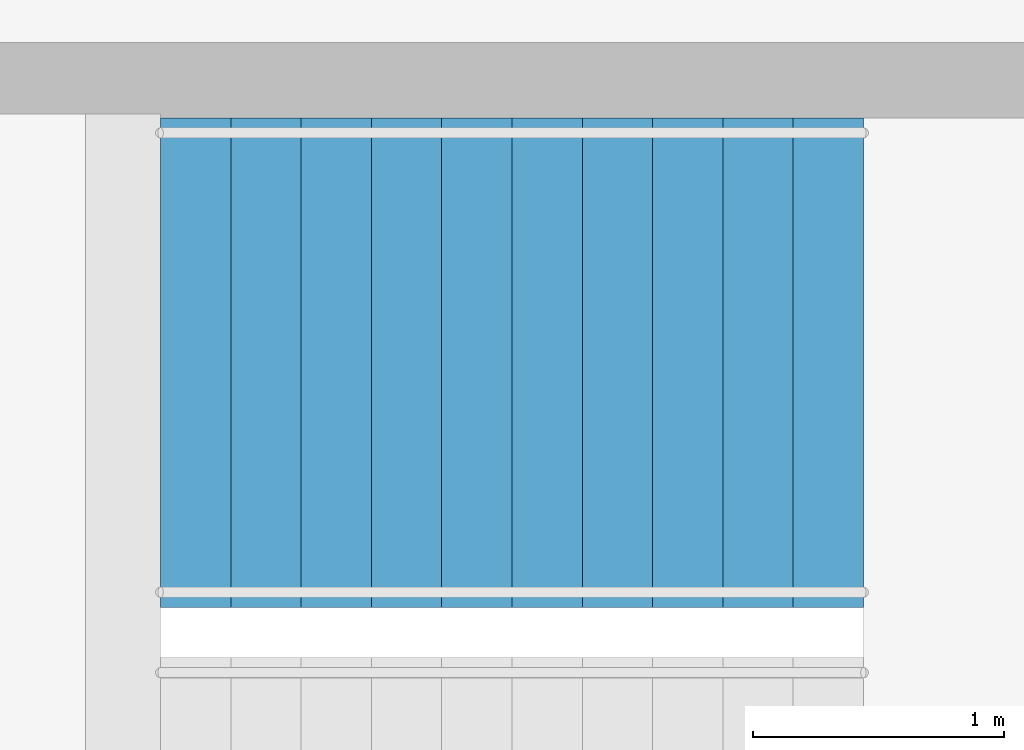
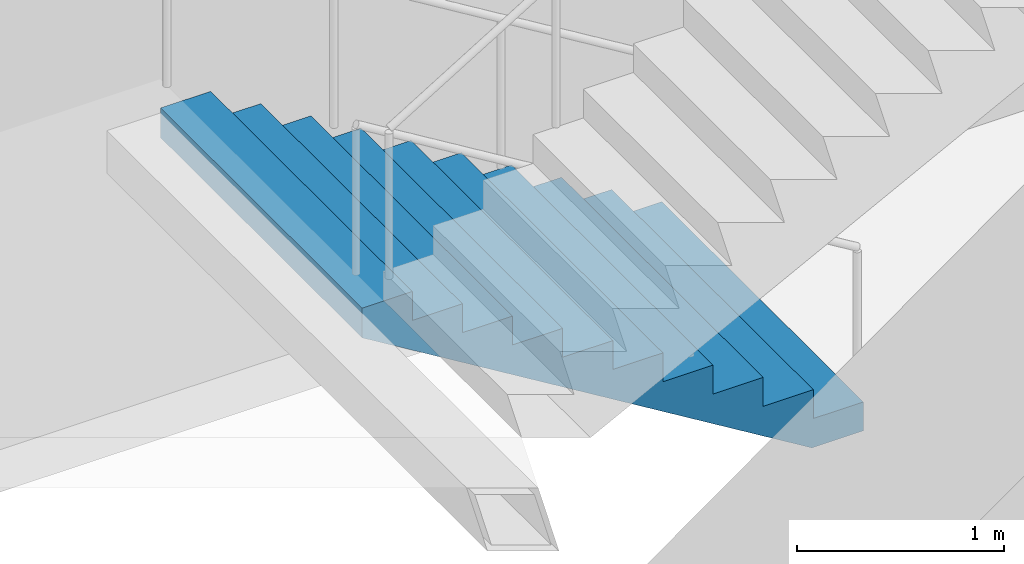
# One storey, part 23 of 24: 1 stair flight, 1 element without a shape of its own.
"""IFC4 building model written with IfcOpenShell, lengths in metres."""

from ifc_helpers import new_model, si_unit, direction, frame, origin, place, context, subcontext, project, spatial, triangles, material, type_object, element, aggregate, save


model = new_model("IFC4")

# Units and contexts
model_context = context("Model", 3, precision=1e-05, world=origin(), true_north=direction((0.0, 1.0)))
body_context = subcontext(model_context, "Body", "Model", "MODEL_VIEW")
ifc_project = project(units=[si_unit("LENGTHUNIT", "METRE"), si_unit("AREAUNIT", "SQUARE_METRE"), si_unit("VOLUMEUNIT", "CUBIC_METRE"), si_unit("PLANEANGLEUNIT", "RADIAN"), si_unit("MASSUNIT", "GRAM", prefix="KILO")], contexts=[model_context])

# Site, building, storey
site_placement = place(None, origin())
site = spatial("IfcSite", under=ifc_project, at=site_placement, CompositionType="ELEMENT")
building_placement = place(site_placement, origin())
building = spatial("IfcBuilding", under=site, at=building_placement, Name="Orbita Commons", CompositionType="ELEMENT")
storey_placement = place(building_placement, frame((0.0, 0.0, 239.050048828125)))
storey = spatial("IfcBuildingStorey", under=building, at=storey_placement, Name="L59", CompositionType="ELEMENT", Elevation=239.050048828125)

# Stair, stair flight
ifc_material_1 = material(Name="Precast concrete C40/50", Category="concrete")
stair_type = type_object("IfcStairType", Name="Exit stair S2 2 flights 11 risers 170", PredefinedType="HALF_TURN_STAIR", material=ifc_material_1)
stair_placement = place(storey_placement, origin())
stair = element("IfcStair", 1, at=stair_placement, inside=storey, type_object=stair_type, Name="Exit stair S2 L59", PredefinedType="HALF_TURN_STAIR")
ifc_material_2 = material(Name="Precast concrete C40/50", Category="concrete")
stair_flight_type = type_object("IfcStairFlightType", Name="Stair flight 11 risers 170 x 280", PredefinedType="STRAIGHT", material=ifc_material_2)
stair_flight_placement = place(storey_placement, frame((63.550048828125, 29.27490234375, 0.0), z_axis=(0.0, 0.0, 1.0), x_axis=(-1.0, 0.0, 0.0)))
stair_flight = element("IfcStairFlight", 2, at=stair_flight_placement, type_object=stair_flight_type, Name="S2 flight 1", NumberOfRisers=11, NumberOfTreads=10, PredefinedType="STRAIGHT", RiserHeight=0.170454545, TreadLength=0.28, context=body_context, shape_type="Tessellation", body=[
    triangles([(0.0, 0.974976, 0.0), (0.0, 0.974976, 0.021307), (0.0, 0.81248, 0.021307), (0.0, 0.81248, 0.0), (0.0, 0.649984, 0.021307), (0.0, 0.649984, 0.0), (0.0, 0.487488, 0.021307), (0.0, 0.487488, 0.0), (0.0, 0.324992, 0.021307), (0.0, 0.324992, 0.0), (0.0, 0.162496, 0.021307), (0.0, 0.162496, 0.0), (0.0, 0.0, 0.021307), (0.0, 0.0, 0.0), (0.0, -0.162496, 0.021307), (0.0, -0.162496, 0.0), (0.0, -0.324992, 0.021307), (0.0, -0.324992, 0.0), (0.0, -0.487488, 0.021307), (0.0, -0.487488, 0.0), (0.0, -0.649984, 0.021307), (0.0, -0.649984, 0.0), (0.0, -0.81248, 0.021307), (0.0, -0.81248, 0.0), (0.0, -0.974976, 0.021307), (0.0, -0.974976, 0.0), (0.0, 0.974976, 0.042614), (0.0, 0.81248, 0.042614), (0.0, 0.649984, 0.042614), (0.0, 0.487488, 0.042614), (0.0, 0.324992, 0.042614), (0.0, 0.162496, 0.042614), (0.0, 0.0, 0.042614), (0.0, -0.162496, 0.042614), (0.0, -0.324992, 0.042614), (0.0, -0.487488, 0.042614), (0.0, -0.649984, 0.042614), (0.0, -0.81248, 0.042614), (0.0, -0.974976, 0.042614), (0.0, 0.974976, 0.06392), (0.0, 0.81248, 0.06392), (0.0, 0.649984, 0.06392), (0.0, 0.487488, 0.06392), (0.0, 0.324992, 0.06392), (0.0, 0.162496, 0.06392), (0.0, 0.0, 0.06392), (0.0, -0.162496, 0.06392), (0.0, -0.324992, 0.06392), (0.0, -0.487488, 0.06392), (0.0, -0.649984, 0.06392), (0.0, -0.81248, 0.06392), (0.0, -0.974976, 0.06392), (0.0, 0.974976, 0.085227), (0.0, 0.81248, 0.085227), (0.0, 0.649984, 0.085227), (0.0, 0.487488, 0.085227), (0.0, 0.324992, 0.085227), (0.0, 0.162496, 0.085227), (0.0, 0.0, 0.085227), (0.0, -0.162496, 0.085227), (0.0, -0.324992, 0.085227), (0.0, -0.487488, 0.085227), (0.0, -0.649984, 0.085227), (0.0, -0.81248, 0.085227), (0.0, -0.974976, 0.085227), (0.0, 0.974976, 0.106534), (0.0, 0.81248, 0.106534), (0.0, 0.649984, 0.106534), (0.0, 0.487488, 0.106534), (0.0, 0.324992, 0.106534), (0.0, 0.162496, 0.106534), (0.0, 0.0, 0.106534), (0.0, -0.162496, 0.106534), (0.0, -0.324992, 0.106534), (0.0, -0.487488, 0.106534), (0.0, -0.649984, 0.106534), (0.0, -0.81248, 0.106534), (0.0, -0.974976, 0.106534), (0.0, 0.974976, 0.127841), (0.0, 0.81248, 0.127841), (0.0, 0.649984, 0.127841), (0.0, 0.487488, 0.127841), (0.0, 0.324992, 0.127841), (0.0, 0.162496, 0.127841), (0.0, 0.0, 0.127841), (0.0, -0.162496, 0.127841), (0.0, -0.324992, 0.127841), (0.0, -0.487488, 0.127841), (0.0, -0.649984, 0.127841), (0.0, -0.81248, 0.127841), (0.0, -0.974976, 0.127841), (0.0, 0.974976, 0.149148), (0.0, 0.81248, 0.149148), (0.0, 0.649984, 0.149148), (0.0, 0.487488, 0.149148), (0.0, 0.324992, 0.149148), (0.0, 0.162496, 0.149148), (0.0, 0.0, 0.149148), (0.0, -0.162496, 0.149148), (0.0, -0.324992, 0.149148), (0.0, -0.487488, 0.149148), (0.0, -0.649984, 0.149148), (0.0, -0.81248, 0.149148), (0.0, -0.974976, 0.149148), (0.0, 0.974976, 0.170455), (0.0, 0.81248, 0.170455), (0.0, 0.649984, 0.170455), (0.0, 0.487488, 0.170455), (0.0, 0.324992, 0.170455), (0.0, 0.162496, 0.170455), (0.0, 0.0, 0.170455), (0.0, -0.162496, 0.170455), (0.0, -0.324992, 0.170455), (0.0, -0.487488, 0.170455), (0.0, -0.649984, 0.170455), (0.0, -0.81248, 0.170455), (0.0, -0.974976, 0.170455), (0.28, 0.974976, 0.170455), (0.28, 0.81248, 0.170455), (0.28, 0.649984, 0.170455), (0.28, 0.487488, 0.170455), (0.28, 0.324992, 0.170455), (0.28, 0.162496, 0.170455), (0.28, 0.0, 0.170455), (0.28, -0.162496, 0.170455), (0.28, -0.324992, 0.170455), (0.28, -0.487488, 0.170455), (0.28, -0.649984, 0.170455), (0.28, -0.81248, 0.170455), (0.28, -0.974976, 0.170455), (0.28, 0.974976, 0.340909), (0.28, 0.81248, 0.340909), (0.28, 0.649984, 0.340909), (0.28, 0.487488, 0.340909), (0.28, 0.324992, 0.340909), (0.28, 0.162496, 0.340909), (0.28, 0.0, 0.340909), (0.28, -0.162496, 0.340909), (0.28, -0.324992, 0.340909), (0.28, -0.487488, 0.340909), (0.28, -0.649984, 0.340909), (0.28, -0.81248, 0.340909), (0.28, -0.974976, 0.340909), (0.56, 0.974976, 0.340909), (0.56, 0.81248, 0.340909), (0.56, 0.649984, 0.340909), (0.56, 0.487488, 0.340909), (0.56, 0.324992, 0.340909), (0.56, 0.162496, 0.340909), (0.56, 0.0, 0.340909), (0.56, -0.162496, 0.340909), (0.56, -0.324992, 0.340909), (0.56, -0.487488, 0.340909), (0.56, -0.649984, 0.340909), (0.56, -0.81248, 0.340909), (0.56, -0.974976, 0.340909), (0.56, 0.974976, 0.511364), (0.56, 0.81248, 0.511364), (0.56, 0.649984, 0.511364), (0.56, 0.487488, 0.511364), (0.56, 0.324992, 0.511364), (0.56, 0.162496, 0.511364), (0.56, 0.0, 0.511364), (0.56, -0.162496, 0.511364), (0.56, -0.324992, 0.511364), (0.56, -0.487488, 0.511364), (0.56, -0.649984, 0.511364), (0.56, -0.81248, 0.511364), (0.56, -0.974976, 0.511364), (0.84, 0.974976, 0.511364), (0.84, 0.81248, 0.511364), (0.84, 0.649984, 0.511364), (0.84, 0.487488, 0.511364), (0.84, 0.324992, 0.511364), (0.84, 0.162496, 0.511364), (0.84, 0.0, 0.511364), (0.84, -0.162496, 0.511364), (0.84, -0.324992, 0.511364), (0.84, -0.487488, 0.511364), (0.84, -0.649984, 0.511364), (0.84, -0.81248, 0.511364), (0.84, -0.974976, 0.511364), (0.84, 0.974976, 0.681818), (0.84, 0.81248, 0.681818), (0.84, 0.649984, 0.681818), (0.84, 0.487488, 0.681818), (0.84, 0.324992, 0.681818), (0.84, 0.162496, 0.681818), (0.84, 0.0, 0.681818), (0.84, -0.162496, 0.681818), (0.84, -0.324992, 0.681818), (0.84, -0.487488, 0.681818), (0.84, -0.649984, 0.681818), (0.84, -0.81248, 0.681818), (0.84, -0.974976, 0.681818), (1.12, 0.974976, 0.681818), (1.12, 0.81248, 0.681818), (1.12, 0.649984, 0.681818), (1.12, 0.487488, 0.681818), (1.12, 0.324992, 0.681818), (1.12, 0.162496, 0.681818), (1.12, 0.0, 0.681818), (1.12, -0.162496, 0.681818), (1.12, -0.324992, 0.681818), (1.12, -0.487488, 0.681818), (1.12, -0.649984, 0.681818), (1.12, -0.81248, 0.681818), (1.12, -0.974976, 0.681818), (1.12, 0.974976, 0.852273), (1.12, 0.81248, 0.852273), (1.12, 0.649984, 0.852273), (1.12, 0.487488, 0.852273), (1.12, 0.324992, 0.852273), (1.12, 0.162496, 0.852273), (1.12, 0.0, 0.852273), (1.12, -0.162496, 0.852273), (1.12, -0.324992, 0.852273), (1.12, -0.487488, 0.852273), (1.12, -0.649984, 0.852273), (1.12, -0.81248, 0.852273), (1.12, -0.974976, 0.852273), (1.4, 0.974976, 0.852273), (1.4, 0.81248, 0.852273), (1.4, 0.649984, 0.852273), (1.4, 0.487488, 0.852273), (1.4, 0.324992, 0.852273), (1.4, 0.162496, 0.852273), (1.4, 0.0, 0.852273), (1.4, -0.162496, 0.852273), (1.4, -0.324992, 0.852273), (1.4, -0.487488, 0.852273), (1.4, -0.649984, 0.852273), (1.4, -0.81248, 0.852273), (1.4, -0.974976, 0.852273), (1.4, 0.974976, 1.022727), (1.4, 0.81248, 1.022727), (1.4, 0.649984, 1.022727), (1.4, 0.487488, 1.022727), (1.4, 0.324992, 1.022727), (1.4, 0.162496, 1.022727), (1.4, 0.0, 1.022727), (1.4, -0.162496, 1.022727), (1.4, -0.324992, 1.022727), (1.4, -0.487488, 1.022727), (1.4, -0.649984, 1.022727), (1.4, -0.81248, 1.022727), (1.4, -0.974976, 1.022727), (1.68, 0.974976, 1.022727), (1.68, 0.81248, 1.022727), (1.68, 0.649984, 1.022727), (1.68, 0.487488, 1.022727), (1.68, 0.324992, 1.022727), (1.68, 0.162496, 1.022727), (1.68, 0.0, 1.022727), (1.68, -0.162496, 1.022727), (1.68, -0.324992, 1.022727), (1.68, -0.487488, 1.022727), (1.68, -0.649984, 1.022727), (1.68, -0.81248, 1.022727), (1.68, -0.974976, 1.022727), (1.68, 0.974976, 1.193182), (1.68, 0.81248, 1.193182), (1.68, 0.649984, 1.193182), (1.68, 0.487488, 1.193182), (1.68, 0.324992, 1.193182), (1.68, 0.162496, 1.193182), (1.68, 0.0, 1.193182), (1.68, -0.162496, 1.193182), (1.68, -0.324992, 1.193182), (1.68, -0.487488, 1.193182), (1.68, -0.649984, 1.193182), (1.68, -0.81248, 1.193182), (1.68, -0.974976, 1.193182), (1.96, 0.974976, 1.193182), (1.96, 0.81248, 1.193182), (1.96, 0.649984, 1.193182), (1.96, 0.487488, 1.193182), (1.96, 0.324992, 1.193182), (1.96, 0.162496, 1.193182), (1.96, 0.0, 1.193182), (1.96, -0.162496, 1.193182), (1.96, -0.324992, 1.193182), (1.96, -0.487488, 1.193182), (1.96, -0.649984, 1.193182), (1.96, -0.81248, 1.193182), (1.96, -0.974976, 1.193182), (1.96, 0.974976, 1.363636), (1.96, 0.81248, 1.363636), (1.96, 0.649984, 1.363636), (1.96, 0.487488, 1.363636), (1.96, 0.324992, 1.363636), (1.96, 0.162496, 1.363636), (1.96, 0.0, 1.363636), (1.96, -0.162496, 1.363636), (1.96, -0.324992, 1.363636), (1.96, -0.487488, 1.363636), (1.96, -0.649984, 1.363636), (1.96, -0.81248, 1.363636), (1.96, -0.974976, 1.363636), (2.24, 0.974976, 1.363636), (2.24, 0.81248, 1.363636), (2.24, 0.649984, 1.363636), (2.24, 0.487488, 1.363636), (2.24, 0.324992, 1.363636), (2.24, 0.162496, 1.363636), (2.24, 0.0, 1.363636), (2.24, -0.162496, 1.363636), (2.24, -0.324992, 1.363636), (2.24, -0.487488, 1.363636), (2.24, -0.649984, 1.363636), (2.24, -0.81248, 1.363636), (2.24, -0.974976, 1.363636), (2.24, 0.974976, 1.534091), (2.24, 0.81248, 1.534091), (2.24, 0.649984, 1.534091), (2.24, 0.487488, 1.534091), (2.24, 0.324992, 1.534091), (2.24, 0.162496, 1.534091), (2.24, 0.0, 1.534091), (2.24, -0.162496, 1.534091), (2.24, -0.324992, 1.534091), (2.24, -0.487488, 1.534091), (2.24, -0.649984, 1.534091), (2.24, -0.81248, 1.534091), (2.24, -0.974976, 1.534091), (2.52, 0.974976, 1.534091), (2.52, 0.81248, 1.534091), (2.52, 0.649984, 1.534091), (2.52, 0.487488, 1.534091), (2.52, 0.324992, 1.534091), (2.52, 0.162496, 1.534091), (2.52, 0.0, 1.534091), (2.52, -0.162496, 1.534091), (2.52, -0.324992, 1.534091), (2.52, -0.487488, 1.534091), (2.52, -0.649984, 1.534091), (2.52, -0.81248, 1.534091), (2.52, -0.974976, 1.534091), (2.52, 0.974976, 1.704545), (2.52, 0.81248, 1.704545), (2.52, 0.649984, 1.704545), (2.52, 0.487488, 1.704545), (2.52, 0.324992, 1.704545), (2.52, 0.162496, 1.704545), (2.52, 0.0, 1.704545), (2.52, -0.162496, 1.704545), (2.52, -0.324992, 1.704545), (2.52, -0.487488, 1.704545), (2.52, -0.649984, 1.704545), (2.52, -0.81248, 1.704545), (2.52, -0.974976, 1.704545), (2.8, 0.974976, 1.704545), (2.8, 0.81248, 1.704545), (2.8, 0.649984, 1.704545), (2.8, 0.487488, 1.704545), (2.8, 0.324992, 1.704545), (2.8, 0.162496, 1.704545), (2.8, 0.0, 1.704545), (2.8, -0.162496, 1.704545), (2.8, -0.324992, 1.704545), (2.8, -0.487488, 1.704545), (2.8, -0.649984, 1.704545), (2.8, -0.81248, 1.704545), (2.8, -0.974976, 1.704545), (2.8, 0.974976, 1.682609), (2.8, 0.81248, 1.682609), (2.8, 0.649984, 1.682609), (2.8, 0.487488, 1.682609), (2.8, 0.324992, 1.682609), (2.8, 0.162496, 1.682609), (2.8, 0.0, 1.682609), (2.8, -0.162496, 1.682609), (2.8, -0.324992, 1.682609), (2.8, -0.487488, 1.682609), (2.8, -0.649984, 1.682609), (2.8, -0.81248, 1.682609), (2.8, -0.974976, 1.682609), (2.8, 0.974976, 1.660672), (2.8, 0.81248, 1.660672), (2.8, 0.649984, 1.660672), (2.8, 0.487488, 1.660672), (2.8, 0.324992, 1.660672), (2.8, 0.162496, 1.660672), (2.8, 0.0, 1.660672), (2.8, -0.162496, 1.660672), (2.8, -0.324992, 1.660672), (2.8, -0.487488, 1.660672), (2.8, -0.649984, 1.660672), (2.8, -0.81248, 1.660672), (2.8, -0.974976, 1.660672), (2.8, 0.974976, 1.638735), (2.8, 0.81248, 1.638735), (2.8, 0.649984, 1.638735), (2.8, 0.487488, 1.638735), (2.8, 0.324992, 1.638735), (2.8, 0.162496, 1.638735), (2.8, 0.0, 1.638735), (2.8, -0.162496, 1.638735), (2.8, -0.324992, 1.638735), (2.8, -0.487488, 1.638735), (2.8, -0.649984, 1.638735), (2.8, -0.81248, 1.638735), (2.8, -0.974976, 1.638735), (2.8, 0.974976, 1.616798), (2.8, 0.81248, 1.616798), (2.8, 0.649984, 1.616798), (2.8, 0.487488, 1.616798), (2.8, 0.324992, 1.616798), (2.8, 0.162496, 1.616798), (2.8, 0.0, 1.616798), (2.8, -0.162496, 1.616798), (2.8, -0.324992, 1.616798), (2.8, -0.487488, 1.616798), (2.8, -0.649984, 1.616798), (2.8, -0.81248, 1.616798), (2.8, -0.974976, 1.616798), (2.8, 0.974976, 1.594861), (2.8, 0.81248, 1.594861), (2.8, 0.649984, 1.594861), (2.8, 0.487488, 1.594861), (2.8, 0.324992, 1.594861), (2.8, 0.162496, 1.594861), (2.8, 0.0, 1.594861), (2.8, -0.162496, 1.594861), (2.8, -0.324992, 1.594861), (2.8, -0.487488, 1.594861), (2.8, -0.649984, 1.594861), (2.8, -0.81248, 1.594861), (2.8, -0.974976, 1.594861), (2.8, 0.974976, 1.572925), (2.8, 0.81248, 1.572925), (2.8, 0.649984, 1.572925), (2.8, 0.487488, 1.572925), (2.8, 0.324992, 1.572925), (2.8, 0.162496, 1.572925), (2.8, 0.0, 1.572925), (2.8, -0.162496, 1.572925), (2.8, -0.324992, 1.572925), (2.8, -0.487488, 1.572925), (2.8, -0.649984, 1.572925), (2.8, -0.81248, 1.572925), (2.8, -0.974976, 1.572925), (2.8, 0.974976, 1.550988), (2.8, 0.81248, 1.550988), (2.8, 0.649984, 1.550988), (2.8, 0.487488, 1.550988), (2.8, 0.324992, 1.550988), (2.8, 0.162496, 1.550988), (2.8, 0.0, 1.550988), (2.8, -0.162496, 1.550988), (2.8, -0.324992, 1.550988), (2.8, -0.487488, 1.550988), (2.8, -0.649984, 1.550988), (2.8, -0.81248, 1.550988), (2.8, -0.974976, 1.550988), (2.8, 0.974976, 1.529051), (2.8, 0.81248, 1.529051), (2.8, 0.649984, 1.529051), (2.8, 0.487488, 1.529051), (2.8, 0.324992, 1.529051), (2.8, 0.162496, 1.529051), (2.8, 0.0, 1.529051), (2.8, -0.162496, 1.529051), (2.8, -0.324992, 1.529051), (2.8, -0.487488, 1.529051), (2.8, -0.649984, 1.529051), (2.8, -0.81248, 1.529051), (2.8, -0.974976, 1.529051), (0.288279, 0.974976, 0.0), (0.288279, 0.81248, 0.0), (0.288279, 0.649984, 0.0), (0.288279, 0.487488, 0.0), (0.288279, 0.324992, 0.0), (0.288279, 0.162496, 0.0), (0.288279, 0.0, 0.0), (0.288279, -0.162496, 0.0), (0.288279, -0.324992, 0.0), (0.288279, -0.487488, 0.0), (0.288279, -0.649984, 0.0), (0.288279, -0.81248, 0.0), (0.288279, -0.974976, 0.0)], [[3, 2, 1], [4, 3, 1], [5, 3, 4], [6, 5, 4], [7, 5, 6], [8, 7, 6], [9, 7, 8], [10, 9, 8], [11, 9, 10], [12, 11, 10], [13, 11, 12], [14, 13, 12], [15, 13, 14], [16, 15, 14], [17, 15, 16], [18, 17, 16], [19, 17, 18], [20, 19, 18], [21, 19, 20], [22, 21, 20], [23, 21, 22], [24, 23, 22], [25, 23, 24], [26, 25, 24], [28, 27, 2], [3, 28, 2], [29, 28, 3], [5, 29, 3], [30, 29, 5], [7, 30, 5], [31, 30, 7], [9, 31, 7], [32, 31, 9], [11, 32, 9], [33, 32, 11], [13, 33, 11], [34, 33, 13], [15, 34, 13], [35, 34, 15], [17, 35, 15], [36, 35, 17], [19, 36, 17], [37, 36, 19], [21, 37, 19], [38, 37, 21], [23, 38, 21], [39, 38, 23], [25, 39, 23], [41, 40, 27], [28, 41, 27], [42, 41, 28], [29, 42, 28], [43, 42, 29], [30, 43, 29], [44, 43, 30], [31, 44, 30], [45, 44, 31], [32, 45, 31], [46, 45, 32], [33, 46, 32], [47, 46, 33], [34, 47, 33], [48, 47, 34], [35, 48, 34], [49, 48, 35], [36, 49, 35], [50, 49, 36], [37, 50, 36], [51, 50, 37], [38, 51, 37], [52, 51, 38], [39, 52, 38], [54, 53, 40], [41, 54, 40], [55, 54, 41], [42, 55, 41], [56, 55, 42], [43, 56, 42], [57, 56, 43], [44, 57, 43], [58, 57, 44], [45, 58, 44], [59, 58, 45], [46, 59, 45], [60, 59, 46], [47, 60, 46], [61, 60, 47], [48, 61, 47], [62, 61, 48], [49, 62, 48], [63, 62, 49], [50, 63, 49], [64, 63, 50], [51, 64, 50], [65, 64, 51], [52, 65, 51], [67, 66, 53], [54, 67, 53], [68, 67, 54], [55, 68, 54], [69, 68, 55], [56, 69, 55], [70, 69, 56], [57, 70, 56], [71, 70, 57], [58, 71, 57], [72, 71, 58], [59, 72, 58], [73, 72, 59], [60, 73, 59], [74, 73, 60], [61, 74, 60], [75, 74, 61], [62, 75, 61], [76, 75, 62], [63, 76, 62], [77, 76, 63], [64, 77, 63], [78, 77, 64], [65, 78, 64], [80, 79, 66], [67, 80, 66], [81, 80, 67], [68, 81, 67], [82, 81, 68], [69, 82, 68], [83, 82, 69], [70, 83, 69], [84, 83, 70], [71, 84, 70], [85, 84, 71], [72, 85, 71], [86, 85, 72], [73, 86, 72], [87, 86, 73], [74, 87, 73], [88, 87, 74], [75, 88, 74], [89, 88, 75], [76, 89, 75], [90, 89, 76], [77, 90, 76], [91, 90, 77], [78, 91, 77], [93, 92, 79], [80, 93, 79], [94, 93, 80], [81, 94, 80], [95, 94, 81], [82, 95, 81], [96, 95, 82], [83, 96, 82], [97, 96, 83], [84, 97, 83], [98, 97, 84], [85, 98, 84], [99, 98, 85], [86, 99, 85], [100, 99, 86], [87, 100, 86], [101, 100, 87], [88, 101, 87], [102, 101, 88], [89, 102, 88], [103, 102, 89], [90, 103, 89], [104, 103, 90], [91, 104, 90], [106, 105, 92], [93, 106, 92], [107, 106, 93], [94, 107, 93], [108, 107, 94], [95, 108, 94], [109, 108, 95], [96, 109, 95], [110, 109, 96], [97, 110, 96], [111, 110, 97], [98, 111, 97], [112, 111, 98], [99, 112, 98], [113, 112, 99], [100, 113, 99], [114, 113, 100], [101, 114, 100], [115, 114, 101], [102, 115, 101], [116, 115, 102], [103, 116, 102], [117, 116, 103], [104, 117, 103], [119, 118, 105], [106, 119, 105], [120, 119, 106], [107, 120, 106], [121, 120, 107], [108, 121, 107], [122, 121, 108], [109, 122, 108], [123, 122, 109], [110, 123, 109], [124, 123, 110], [111, 124, 110], [125, 124, 111], [112, 125, 111], [126, 125, 112], [113, 126, 112], [127, 126, 113], [114, 127, 113], [128, 127, 114], [115, 128, 114], [129, 128, 115], [116, 129, 115], [130, 129, 116], [117, 130, 116], [132, 131, 118], [119, 132, 118], [133, 132, 119], [120, 133, 119], [134, 133, 120], [121, 134, 120], [135, 134, 121], [122, 135, 121], [136, 135, 122], [123, 136, 122], [137, 136, 123], [124, 137, 123], [138, 137, 124], [125, 138, 124], [139, 138, 125], [126, 139, 125], [140, 139, 126], [127, 140, 126], [141, 140, 127], [128, 141, 127], [142, 141, 128], [129, 142, 128], [143, 142, 129], [130, 143, 129], [145, 144, 131], [132, 145, 131], [146, 145, 132], [133, 146, 132], [147, 146, 133], [134, 147, 133], [148, 147, 134], [135, 148, 134], [149, 148, 135], [136, 149, 135], [150, 149, 136], [137, 150, 136], [151, 150, 137], [138, 151, 137], [152, 151, 138], [139, 152, 138], [153, 152, 139], [140, 153, 139], [154, 153, 140], [141, 154, 140], [155, 154, 141], [142, 155, 141], [156, 155, 142], [143, 156, 142], [158, 157, 144], [145, 158, 144], [159, 158, 145], [146, 159, 145], [160, 159, 146], [147, 160, 146], [161, 160, 147], [148, 161, 147], [162, 161, 148], [149, 162, 148], [163, 162, 149], [150, 163, 149], [164, 163, 150], [151, 164, 150], [165, 164, 151], [152, 165, 151], [166, 165, 152], [153, 166, 152], [167, 166, 153], [154, 167, 153], [168, 167, 154], [155, 168, 154], [169, 168, 155], [156, 169, 155], [171, 170, 157], [158, 171, 157], [172, 171, 158], [159, 172, 158], [173, 172, 159], [160, 173, 159], [174, 173, 160], [161, 174, 160], [175, 174, 161], [162, 175, 161], [176, 175, 162], [163, 176, 162], [177, 176, 163], [164, 177, 163], [178, 177, 164], [165, 178, 164], [179, 178, 165], [166, 179, 165], [180, 179, 166], [167, 180, 166], [181, 180, 167], [168, 181, 167], [182, 181, 168], [169, 182, 168], [184, 183, 170], [171, 184, 170], [185, 184, 171], [172, 185, 171], [186, 185, 172], [173, 186, 172], [187, 186, 173], [174, 187, 173], [188, 187, 174], [175, 188, 174], [189, 188, 175], [176, 189, 175], [190, 189, 176], [177, 190, 176], [191, 190, 177], [178, 191, 177], [192, 191, 178], [179, 192, 178], [193, 192, 179], [180, 193, 179], [194, 193, 180], [181, 194, 180], [195, 194, 181], [182, 195, 181], [197, 196, 183], [184, 197, 183], [198, 197, 184], [185, 198, 184], [199, 198, 185], [186, 199, 185], [200, 199, 186], [187, 200, 186], [201, 200, 187], [188, 201, 187], [202, 201, 188], [189, 202, 188], [203, 202, 189], [190, 203, 189], [204, 203, 190], [191, 204, 190], [205, 204, 191], [192, 205, 191], [206, 205, 192], [193, 206, 192], [207, 206, 193], [194, 207, 193], [208, 207, 194], [195, 208, 194], [210, 209, 196], [197, 210, 196], [211, 210, 197], [198, 211, 197], [212, 211, 198], [199, 212, 198], [213, 212, 199], [200, 213, 199], [214, 213, 200], [201, 214, 200], [215, 214, 201], [202, 215, 201], [216, 215, 202], [203, 216, 202], [217, 216, 203], [204, 217, 203], [218, 217, 204], [205, 218, 204], [219, 218, 205], [206, 219, 205], [220, 219, 206], [207, 220, 206], [221, 220, 207], [208, 221, 207], [223, 222, 209], [210, 223, 209], [224, 223, 210], [211, 224, 210], [225, 224, 211], [212, 225, 211], [226, 225, 212], [213, 226, 212], [227, 226, 213], [214, 227, 213], [228, 227, 214], [215, 228, 214], [229, 228, 215], [216, 229, 215], [230, 229, 216], [217, 230, 216], [231, 230, 217], [218, 231, 217], [232, 231, 218], [219, 232, 218], [233, 232, 219], [220, 233, 219], [234, 233, 220], [221, 234, 220], [236, 235, 222], [223, 236, 222], [237, 236, 223], [224, 237, 223], [238, 237, 224], [225, 238, 224], [239, 238, 225], [226, 239, 225], [240, 239, 226], [227, 240, 226], [241, 240, 227], [228, 241, 227], [242, 241, 228], [229, 242, 228], [243, 242, 229], [230, 243, 229], [244, 243, 230], [231, 244, 230], [245, 244, 231], [232, 245, 231], [246, 245, 232], [233, 246, 232], [247, 246, 233], [234, 247, 233], [249, 248, 235], [236, 249, 235], [250, 249, 236], [237, 250, 236], [251, 250, 237], [238, 251, 237], [252, 251, 238], [239, 252, 238], [253, 252, 239], [240, 253, 239], [254, 253, 240], [241, 254, 240], [255, 254, 241], [242, 255, 241], [256, 255, 242], [243, 256, 242], [257, 256, 243], [244, 257, 243], [258, 257, 244], [245, 258, 244], [259, 258, 245], [246, 259, 245], [260, 259, 246], [247, 260, 246], [262, 261, 248], [249, 262, 248], [263, 262, 249], [250, 263, 249], [264, 263, 250], [251, 264, 250], [265, 264, 251], [252, 265, 251], [266, 265, 252], [253, 266, 252], [267, 266, 253], [254, 267, 253], [268, 267, 254], [255, 268, 254], [269, 268, 255], [256, 269, 255], [270, 269, 256], [257, 270, 256], [271, 270, 257], [258, 271, 257], [272, 271, 258], [259, 272, 258], [273, 272, 259], [260, 273, 259], [275, 274, 261], [262, 275, 261], [276, 275, 262], [263, 276, 262], [277, 276, 263], [264, 277, 263], [278, 277, 264], [265, 278, 264], [279, 278, 265], [266, 279, 265], [280, 279, 266], [267, 280, 266], [281, 280, 267], [268, 281, 267], [282, 281, 268], [269, 282, 268], [283, 282, 269], [270, 283, 269], [284, 283, 270], [271, 284, 270], [285, 284, 271], [272, 285, 271], [286, 285, 272], [273, 286, 272], [288, 287, 274], [275, 288, 274], [289, 288, 275], [276, 289, 275], [290, 289, 276], [277, 290, 276], [291, 290, 277], [278, 291, 277], [292, 291, 278], [279, 292, 278], [293, 292, 279], [280, 293, 279], [294, 293, 280], [281, 294, 280], [295, 294, 281], [282, 295, 281], [296, 295, 282], [283, 296, 282], [297, 296, 283], [284, 297, 283], [298, 297, 284], [285, 298, 284], [299, 298, 285], [286, 299, 285], [301, 300, 287], [288, 301, 287], [302, 301, 288], [289, 302, 288], [303, 302, 289], [290, 303, 289], [304, 303, 290], [291, 304, 290], [305, 304, 291], [292, 305, 291], [306, 305, 292], [293, 306, 292], [307, 306, 293], [294, 307, 293], [308, 307, 294], [295, 308, 294], [309, 308, 295], [296, 309, 295], [310, 309, 296], [297, 310, 296], [311, 310, 297], [298, 311, 297], [312, 311, 298], [299, 312, 298], [314, 313, 300], [301, 314, 300], [315, 314, 301], [302, 315, 301], [316, 315, 302], [303, 316, 302], [317, 316, 303], [304, 317, 303], [318, 317, 304], [305, 318, 304], [319, 318, 305], [306, 319, 305], [320, 319, 306], [307, 320, 306], [321, 320, 307], [308, 321, 307], [322, 321, 308], [309, 322, 308], [323, 322, 309], [310, 323, 309], [324, 323, 310], [311, 324, 310], [325, 324, 311], [312, 325, 311], [327, 326, 313], [314, 327, 313], [328, 327, 314], [315, 328, 314], [329, 328, 315], [316, 329, 315], [330, 329, 316], [317, 330, 316], [331, 330, 317], [318, 331, 317], [332, 331, 318], [319, 332, 318], [333, 332, 319], [320, 333, 319], [334, 333, 320], [321, 334, 320], [335, 334, 321], [322, 335, 321], [336, 335, 322], [323, 336, 322], [337, 336, 323], [324, 337, 323], [338, 337, 324], [325, 338, 324], [340, 339, 326], [327, 340, 326], [341, 340, 327], [328, 341, 327], [342, 341, 328], [329, 342, 328], [343, 342, 329], [330, 343, 329], [344, 343, 330], [331, 344, 330], [345, 344, 331], [332, 345, 331], [346, 345, 332], [333, 346, 332], [347, 346, 333], [334, 347, 333], [348, 347, 334], [335, 348, 334], [349, 348, 335], [336, 349, 335], [350, 349, 336], [337, 350, 336], [351, 350, 337], [338, 351, 337], [353, 352, 339], [340, 353, 339], [354, 353, 340], [341, 354, 340], [355, 354, 341], [342, 355, 341], [356, 355, 342], [343, 356, 342], [357, 356, 343], [344, 357, 343], [358, 357, 344], [345, 358, 344], [359, 358, 345], [346, 359, 345], [360, 359, 346], [347, 360, 346], [361, 360, 347], [348, 361, 347], [362, 361, 348], [349, 362, 348], [363, 362, 349], [350, 363, 349], [364, 363, 350], [351, 364, 350], [366, 365, 352], [353, 366, 352], [367, 366, 353], [354, 367, 353], [368, 367, 354], [355, 368, 354], [369, 368, 355], [356, 369, 355], [370, 369, 356], [357, 370, 356], [371, 370, 357], [358, 371, 357], [372, 371, 358], [359, 372, 358], [373, 372, 359], [360, 373, 359], [374, 373, 360], [361, 374, 360], [375, 374, 361], [362, 375, 361], [376, 375, 362], [363, 376, 362], [377, 376, 363], [364, 377, 363], [379, 378, 365], [366, 379, 365], [380, 379, 366], [367, 380, 366], [381, 380, 367], [368, 381, 367], [382, 381, 368], [369, 382, 368], [383, 382, 369], [370, 383, 369], [384, 383, 370], [371, 384, 370], [385, 384, 371], [372, 385, 371], [386, 385, 372], [373, 386, 372], [387, 386, 373], [374, 387, 373], [388, 387, 374], [375, 388, 374], [389, 388, 375], [376, 389, 375], [390, 389, 376], [377, 390, 376], [392, 391, 378], [379, 392, 378], [393, 392, 379], [380, 393, 379], [394, 393, 380], [381, 394, 380], [395, 394, 381], [382, 395, 381], [396, 395, 382], [383, 396, 382], [397, 396, 383], [384, 397, 383], [398, 397, 384], [385, 398, 384], [399, 398, 385], [386, 399, 385], [400, 399, 386], [387, 400, 386], [401, 400, 387], [388, 401, 387], [402, 401, 388], [389, 402, 388], [403, 402, 389], [390, 403, 389], [405, 404, 391], [392, 405, 391], [406, 405, 392], [393, 406, 392], [407, 406, 393], [394, 407, 393], [408, 407, 394], [395, 408, 394], [409, 408, 395], [396, 409, 395], [410, 409, 396], [397, 410, 396], [411, 410, 397], [398, 411, 397], [412, 411, 398], [399, 412, 398], [413, 412, 399], [400, 413, 399], [414, 413, 400], [401, 414, 400], [415, 414, 401], [402, 415, 401], [416, 415, 402], [403, 416, 402], [418, 417, 404], [405, 418, 404], [419, 418, 405], [406, 419, 405], [420, 419, 406], [407, 420, 406], [421, 420, 407], [408, 421, 407], [422, 421, 408], [409, 422, 408], [423, 422, 409], [410, 423, 409], [424, 423, 410], [411, 424, 410], [425, 424, 411], [412, 425, 411], [426, 425, 412], [413, 426, 412], [427, 426, 413], [414, 427, 413], [428, 427, 414], [415, 428, 414], [429, 428, 415], [416, 429, 415], [431, 430, 417], [418, 431, 417], [432, 431, 418], [419, 432, 418], [433, 432, 419], [420, 433, 419], [434, 433, 420], [421, 434, 420], [435, 434, 421], [422, 435, 421], [436, 435, 422], [423, 436, 422], [437, 436, 423], [424, 437, 423], [438, 437, 424], [425, 438, 424], [439, 438, 425], [426, 439, 425], [440, 439, 426], [427, 440, 426], [441, 440, 427], [428, 441, 427], [442, 441, 428], [429, 442, 428], [444, 443, 430], [431, 444, 430], [445, 444, 431], [432, 445, 431], [446, 445, 432], [433, 446, 432], [447, 446, 433], [434, 447, 433], [448, 447, 434], [435, 448, 434], [449, 448, 435], [436, 449, 435], [450, 449, 436], [437, 450, 436], [451, 450, 437], [438, 451, 437], [452, 451, 438], [439, 452, 438], [453, 452, 439], [440, 453, 439], [454, 453, 440], [441, 454, 440], [455, 454, 441], [442, 455, 441], [457, 456, 443], [444, 457, 443], [458, 457, 444], [445, 458, 444], [459, 458, 445], [446, 459, 445], [460, 459, 446], [447, 460, 446], [461, 460, 447], [448, 461, 447], [462, 461, 448], [449, 462, 448], [463, 462, 449], [450, 463, 449], [464, 463, 450], [451, 464, 450], [465, 464, 451], [452, 465, 451], [466, 465, 452], [453, 466, 452], [467, 466, 453], [454, 467, 453], [468, 467, 454], [455, 468, 454], [470, 469, 456], [457, 470, 456], [471, 470, 457], [458, 471, 457], [472, 471, 458], [459, 472, 458], [473, 472, 459], [460, 473, 459], [474, 473, 460], [461, 474, 460], [475, 474, 461], [462, 475, 461], [476, 475, 462], [463, 476, 462], [477, 476, 463], [464, 477, 463], [478, 477, 464], [465, 478, 464], [479, 478, 465], [466, 479, 465], [480, 479, 466], [467, 480, 466], [481, 480, 467], [468, 481, 467], [4, 1, 469], [470, 4, 469], [6, 4, 470], [471, 6, 470], [8, 6, 471], [472, 8, 471], [10, 8, 472], [473, 10, 472], [12, 10, 473], [474, 12, 473], [14, 12, 474], [475, 14, 474], [16, 14, 475], [476, 16, 475], [18, 16, 476], [477, 18, 476], [20, 18, 477], [478, 20, 477], [22, 20, 478], [479, 22, 478], [24, 22, 479], [480, 24, 479], [26, 24, 480], [481, 26, 480], [456, 469, 1], [26, 481, 468], [443, 456, 1], [26, 468, 455], [430, 443, 1], [26, 455, 442], [417, 430, 1], [26, 442, 429], [404, 417, 1], [26, 429, 416], [391, 404, 1], [26, 416, 403], [378, 391, 1], [26, 403, 390], [365, 378, 1], [26, 390, 377], [339, 352, 365], [377, 364, 351], [326, 339, 365], [377, 351, 338], [300, 313, 326], [338, 325, 312], [300, 326, 365], [377, 338, 312], [274, 287, 300], [312, 299, 286], [274, 300, 365], [377, 312, 286], [248, 261, 274], [286, 273, 260], [248, 274, 365], [377, 286, 260], [222, 235, 248], [260, 247, 234], [222, 248, 365], [377, 260, 234], [196, 209, 222], [234, 221, 208], [196, 222, 365], [377, 234, 208], [170, 183, 196], [208, 195, 182], [170, 196, 365], [377, 208, 182], [144, 157, 170], [182, 169, 156], [144, 170, 365], [377, 182, 156], [118, 131, 144], [156, 143, 130], [118, 144, 365], [377, 156, 130], [118, 365, 1], [26, 377, 130], [92, 105, 118], [130, 117, 104], [79, 92, 118], [130, 104, 91], [66, 79, 118], [130, 91, 78], [53, 66, 118], [130, 78, 65], [40, 53, 118], [130, 65, 52], [27, 40, 118], [130, 52, 39], [2, 27, 118], [130, 39, 25], [1, 2, 118], [130, 25, 26]], closed=True),
])
aggregate(stair, [stair_flight])

save(model, "model.ifc")
